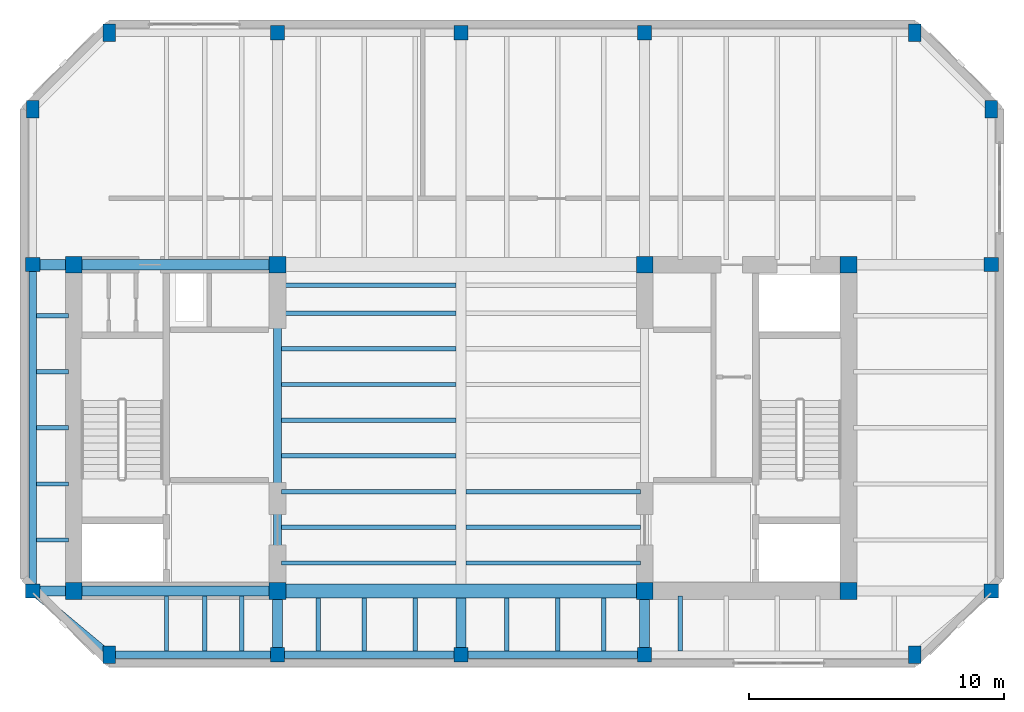
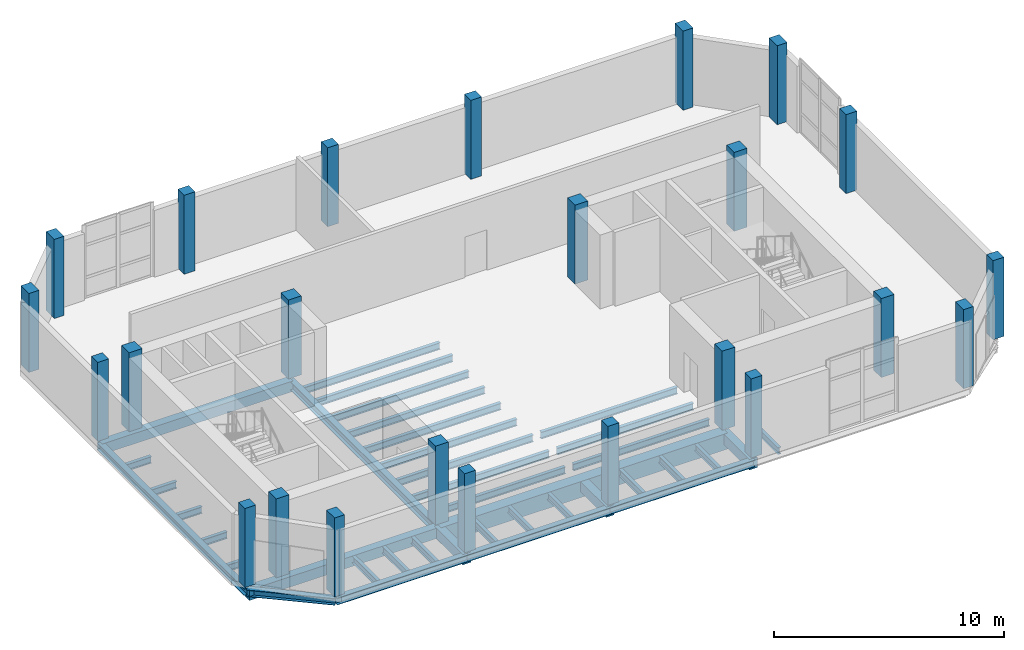
# One storey, part 1 of 8: 39 beams, 24 columns.
"""IFC4 building model written with IfcOpenShell, lengths in metres."""

from ifc_helpers import new_model, si_unit, direction, frame, origin, origin_2d, place, context, subcontext, project, spatial, rectangle, i_section, extrude, material, material_profile, profile_set, type_object, element, save


model = new_model("IFC4")

# Units and contexts
model_context = context("Model", 3, precision=1e-05, world=origin(), true_north=direction((0.0, 1.0)))
body_context = subcontext(model_context, "Body", "Model", "MODEL_VIEW")
ifc_project = project(units=[si_unit("LENGTHUNIT", "METRE"), si_unit("AREAUNIT", "SQUARE_METRE"), si_unit("VOLUMEUNIT", "CUBIC_METRE"), si_unit("PLANEANGLEUNIT", "RADIAN"), si_unit("MASSUNIT", "GRAM", prefix="KILO")], contexts=[model_context])

# Site, building, storey
site_placement = place(None, origin())
site = spatial("IfcSite", under=ifc_project, at=site_placement, CompositionType="ELEMENT")
building_placement = place(site_placement, origin())
building = spatial("IfcBuilding", under=site, at=building_placement, Name="Kranthara Brick Stack", CompositionType="ELEMENT")
storey_placement = place(building_placement, frame((0.0, 0.0, 300.60009765625)))
storey = spatial("IfcBuildingStorey", under=building, at=storey_placement, Name="L79", CompositionType="ELEMENT", Elevation=300.60009765625)

# Columns
ifc_material_1 = material(Name="Concrete C45/55", Category="concrete")
ifc_material_profile_1 = material_profile(ifc_material_1, rectangle(XDim=0.5, YDim=0.699951171875, at=origin_2d()), Name="RC 500x700")
ifc_profile_set_1 = profile_set([ifc_material_profile_1], Name="Concrete C45/55")
column_type_1 = type_object("IfcColumnType", Name="COL-CHAM-500x700", PredefinedType="COLUMN", material=ifc_profile_set_1)
for number, where, z_axis, x_axis, name in (
    (1, (14.199951171875, 18.300048828125, 0.0), (0.0, 0.0, 1.0), (1.0, 0.0, 0.0), "L79 Column 09"),
    (2, (14.199951171875, 42.699951171875, 0.0), (0.0, 0.0, 1.0), (1.0, 0.0, 0.0), "L79 Column 10"),
    (3, (45.800048828125, 18.300048828125, 0.0), (0.0, 0.0, 1.0), (1.0, 0.0, 0.0), "L79 Column 17"),
    (4, (45.800048828125, 42.699951171875, 0.0), (0.0, 0.0, 1.0), (1.0, 0.0, 0.0), "L79 Column 18"),
    (5, (11.199951171875, 39.699951171875, 0.0), (0.0, 0.0, 1.0), (1.0, 0.0, 0.0), "L79 Column 23"),
    (6, (48.800048828125, 39.699951171875, 0.0), (0.0, 0.0, 1.0), (1.0, 0.0, 0.0), "L79 Column 24"),
):
    element("IfcColumn", number, at=place(storey_placement, frame(where, z_axis=z_axis, x_axis=x_axis)), inside=storey, type_object=column_type_1, Name=name, PredefinedType="COLUMN", context=body_context, shape_type="SweptSolid", body=[
        extrude(rectangle(XDim=0.5, YDim=0.699951171875, at=origin_2d()), origin(), (0.0, 0.0, 1.0), 4.199951171875),
    ])
ifc_material_2 = material(Name="Concrete C50/60", Category="concrete")
ifc_material_profile_2 = material_profile(ifc_material_2, rectangle(XDim=0.64990234375, YDim=0.64990234375, at=origin_2d()), Name="RC 650x650")
ifc_profile_set_2 = profile_set([ifc_material_profile_2], Name="Concrete C50/60")
column_type_2 = type_object("IfcColumnType", Name="COL-CORE-650", PredefinedType="COLUMN", material=ifc_profile_set_2)
for number, where, z_axis, x_axis, name in (
    (7, (12.800048828125, 20.800048828125, 0.0), (0.0, 0.0, 1.0), (1.0, 0.0, 0.0), "L79 Column 01"),
    (8, (20.800048828125, 20.800048828125, 0.0), (0.0, 0.0, 1.0), (1.0, 0.0, 0.0), "L79 Column 02"),
    (9, (12.800048828125, 33.60009765625, 0.0), (0.0, 0.0, 1.0), (1.0, 0.0, 0.0), "L79 Column 03"),
    (10, (20.800048828125, 33.60009765625, 0.0), (0.0, 0.0, 1.0), (1.0, 0.0, 0.0), "L79 Column 04"),
    (11, (35.199951171875, 20.800048828125, 0.0), (0.0, 0.0, 1.0), (1.0, 0.0, 0.0), "L79 Column 05"),
    (12, (43.199951171875, 20.800048828125, 0.0), (0.0, 0.0, 1.0), (1.0, 0.0, 0.0), "L79 Column 06"),
    (13, (35.199951171875, 33.60009765625, 0.0), (0.0, 0.0, 1.0), (1.0, 0.0, 0.0), "L79 Column 07"),
    (14, (43.199951171875, 33.60009765625, 0.0), (0.0, 0.0, 1.0), (1.0, 0.0, 0.0), "L79 Column 08"),
):
    element("IfcColumn", number, at=place(storey_placement, frame(where, z_axis=z_axis, x_axis=x_axis)), inside=storey, type_object=column_type_2, Name=name, PredefinedType="COLUMN", context=body_context, shape_type="SweptSolid", body=[
        extrude(rectangle(XDim=0.64990234375, YDim=0.64990234375, at=origin_2d()), origin(), (0.0, 0.0, 1.0), 4.199951171875),
    ])
ifc_material_3 = material(Name="Concrete C45/55", Category="concrete")
ifc_material_profile_3 = material_profile(ifc_material_3, rectangle(XDim=0.550048828125, YDim=0.550048828125, at=origin_2d()), Name="RC 550x550")
ifc_profile_set_3 = profile_set([ifc_material_profile_3], Name="Concrete C45/55")
column_type_3 = type_object("IfcColumnType", Name="COL-PER-550", PredefinedType="COLUMN", material=ifc_profile_set_3)
for number, where, z_axis, x_axis, name in (
    (15, (20.800048828125, 18.300048828125, 0.0), (0.0, 0.0, 1.0), (1.0, 0.0, 0.0), "L79 Column 11"),
    (16, (20.800048828125, 42.699951171875, 0.0), (0.0, 0.0, 1.0), (1.0, 0.0, 0.0), "L79 Column 12"),
    (17, (28.0, 18.300048828125, 0.0), (0.0, 0.0, 1.0), (1.0, 0.0, 0.0), "L79 Column 13"),
    (18, (28.0, 42.699951171875, 0.0), (0.0, 0.0, 1.0), (1.0, 0.0, 0.0), "L79 Column 14"),
    (19, (35.199951171875, 18.300048828125, 0.0), (0.0, 0.0, 1.0), (1.0, 0.0, 0.0), "L79 Column 15"),
    (20, (35.199951171875, 42.699951171875, 0.0), (0.0, 0.0, 1.0), (1.0, 0.0, 0.0), "L79 Column 16"),
    (21, (11.199951171875, 20.800048828125, 0.0), (0.0, 0.0, 1.0), (1.0, 0.0, 0.0), "L79 Column 19"),
    (22, (48.800048828125, 20.800048828125, 0.0), (0.0, 0.0, 1.0), (1.0, 0.0, 0.0), "L79 Column 20"),
    (23, (11.199951171875, 33.60009765625, 0.0), (0.0, 0.0, 1.0), (1.0, 0.0, 0.0), "L79 Column 21"),
    (24, (48.800048828125, 33.60009765625, 0.0), (0.0, 0.0, 1.0), (1.0, 0.0, 0.0), "L79 Column 22"),
):
    element("IfcColumn", number, at=place(storey_placement, frame(where, z_axis=z_axis, x_axis=x_axis)), inside=storey, type_object=column_type_3, Name=name, PredefinedType="COLUMN", context=body_context, shape_type="SweptSolid", body=[
        extrude(rectangle(XDim=0.550048828125, YDim=0.550048828125, at=origin_2d()), origin(), (0.0, 0.0, 1.0), 4.199951171875),
    ])

# Beams
ifc_material_4 = material(Name="Concrete C50/60", Category="concrete")
ifc_material_profile_4 = material_profile(ifc_material_4, rectangle(XDim=0.550048828125, YDim=0.85009765625, at=origin_2d()), Name="RC 550x850")
ifc_profile_set_4 = profile_set([ifc_material_profile_4], Name="Concrete C50/60")
beam_type_1 = type_object("IfcBeamType", Name="BM-CPL-RC850", PredefinedType="LINTEL", material=ifc_profile_set_4)
beam_1_placement = place(storey_placement, frame((20.800048828125, 20.800048828125, -0.705078125), z_axis=(1.0, 0.0, 0.0), x_axis=(0.0, 1.0, 0.0)))
element("IfcBeam", 25, at=beam_1_placement, inside=storey, type_object=beam_type_1, Name="L79 Core Coupling Beam 001", PredefinedType="LINTEL", context=body_context, shape_type="SweptSolid", body=[
    extrude(rectangle(XDim=0.550048828125, YDim=0.85009765625, at=origin_2d()), origin(), (0.0, 0.0, 1.0), 14.39990234375),
])
ifc_material_5 = material(Name="Post-tensioned concrete C45/55", Category="concrete")
ifc_material_profile_5 = material_profile(ifc_material_5, rectangle(XDim=0.39990234375, YDim=0.550048828125, at=origin_2d()), Name="PT 400x550")
ifc_profile_set_5 = profile_set([ifc_material_profile_5], Name="Post-tensioned concrete C45/55")
beam_type_2 = type_object("IfcBeamType", Name="BM-FLR-PT550", PredefinedType="BEAM", material=ifc_profile_set_5)
beam_2_placement = place(storey_placement, frame((20.800048828125, 18.300048828125, -0.55517578125), z_axis=(0.0, 1.0, 0.0), x_axis=(-1.0, 0.0, 0.0)))
element("IfcBeam", 26, at=beam_2_placement, inside=storey, type_object=beam_type_2, Name="L79 Primary Grid Girder 021", PredefinedType="BEAM", context=body_context, shape_type="SweptSolid", body=[
    extrude(rectangle(XDim=0.39990234375, YDim=0.550048828125, at=origin_2d()), origin(), (0.0, 0.0, 1.0), 2.5),
])
beam_3_placement = place(storey_placement, frame((28.0, 18.300048828125, -0.55517578125), z_axis=(0.0, 1.0, 0.0), x_axis=(-1.0, 0.0, 0.0)))
element("IfcBeam", 27, at=beam_3_placement, inside=storey, type_object=beam_type_2, Name="L79 Primary Grid Girder 023", PredefinedType="BEAM", context=body_context, shape_type="SweptSolid", body=[
    extrude(rectangle(XDim=0.39990234375, YDim=0.550048828125, at=origin_2d()), origin(), (0.0, 0.0, 1.0), 2.224853515625),
])
beam_4_placement = place(storey_placement, frame((35.199951171875, 18.300048828125, -0.55517578125), z_axis=(0.0, 1.0, 0.0), x_axis=(-1.0, 0.0, 0.0)))
element("IfcBeam", 28, at=beam_4_placement, inside=storey, type_object=beam_type_2, Name="L79 Primary Grid Girder 026", PredefinedType="BEAM", context=body_context, shape_type="SweptSolid", body=[
    extrude(rectangle(XDim=0.39990234375, YDim=0.550048828125, at=origin_2d()), origin(), (0.0, 0.0, 1.0), 2.5),
])
for number, where, z_axis, x_axis, name in (
    (29, (11.199951171875, 20.800048828125, -0.55517578125), (1.0, 0.0, 0.0), (0.0, 1.0, 0.0), "L79 Primary Grid Girder 028"),
    (30, (11.199951171875, 33.60009765625, -0.55517578125), (1.0, 0.0, 0.0), (0.0, 1.0, 0.0), "L79 Primary Grid Girder 030"),
):
    element("IfcBeam", number, at=place(storey_placement, frame(where, z_axis=z_axis, x_axis=x_axis)), inside=storey, type_object=beam_type_2, Name=name, PredefinedType="BEAM", context=body_context, shape_type="SweptSolid", body=[
        extrude(rectangle(XDim=0.39990234375, YDim=0.550048828125, at=origin_2d()), origin(), (0.0, 0.0, 1.0), 9.60009765625),
    ])
ifc_material_6 = material(Name="Steel S355", Category="steel")
ifc_material_profile_6 = material_profile(ifc_material_6, i_section(OverallWidth=0.169921875, OverallDepth=0.360107421875, WebThickness=0.008056640625, FlangeThickness=0.0126953125, at=origin_2d()), Name="IPE 360")
ifc_profile_set_6 = profile_set([ifc_material_profile_6], Name="Steel S355")
beam_type_3 = type_object("IfcBeamType", Name="BM-JST-IPE360", PredefinedType="JOIST", material=ifc_profile_set_6)
for number, where, z_axis, x_axis, name in (
    (31, (20.949951171875, 21.89990234375, -0.460205078125), (1.0, 0.0, 0.0), (0.0, 1.0, 0.0), "L79 Central Floor Joist 032"),
    (32, (28.199951171875, 21.89990234375, -0.460205078125), (1.0, 0.0, 0.0), (0.0, 1.0, 0.0), "L79 Central Floor Joist 033"),
    (33, (20.949951171875, 23.300048828125, -0.460205078125), (1.0, 0.0, 0.0), (0.0, 1.0, 0.0), "L79 Central Floor Joist 034"),
    (34, (28.199951171875, 23.300048828125, -0.460205078125), (1.0, 0.0, 0.0), (0.0, 1.0, 0.0), "L79 Central Floor Joist 035"),
    (35, (20.949951171875, 24.699951171875, -0.460205078125), (1.0, 0.0, 0.0), (0.0, 1.0, 0.0), "L79 Central Floor Joist 036"),
    (36, (28.199951171875, 24.699951171875, -0.460205078125), (1.0, 0.0, 0.0), (0.0, 1.0, 0.0), "L79 Central Floor Joist 037"),
    (37, (20.949951171875, 26.10009765625, -0.460205078125), (1.0, 0.0, 0.0), (0.0, 1.0, 0.0), "L79 Central Floor Joist 038"),
    (38, (20.949951171875, 27.5, -0.460205078125), (1.0, 0.0, 0.0), (0.0, 1.0, 0.0), "L79 Central Floor Joist 040"),
    (39, (20.949951171875, 28.89990234375, -0.460205078125), (1.0, 0.0, 0.0), (0.0, 1.0, 0.0), "L79 Central Floor Joist 042"),
    (40, (20.949951171875, 30.300048828125, -0.460205078125), (1.0, 0.0, 0.0), (0.0, 1.0, 0.0), "L79 Central Floor Joist 044"),
    (41, (20.949951171875, 31.699951171875, -0.460205078125), (1.0, 0.0, 0.0), (0.0, 1.0, 0.0), "L79 Central Floor Joist 046"),
    (42, (20.949951171875, 32.800048828125, -0.460205078125), (1.0, 0.0, 0.0), (0.0, 1.0, 0.0), "L79 Central Floor Joist 048"),
):
    element("IfcBeam", number, at=place(storey_placement, frame(where, z_axis=z_axis, x_axis=x_axis)), inside=storey, type_object=beam_type_3, Name=name, PredefinedType="JOIST", context=body_context, shape_type="SweptSolid", body=[
        extrude(i_section(OverallWidth=0.169921875, OverallDepth=0.360107421875, WebThickness=0.008056640625, FlangeThickness=0.0126953125, at=origin_2d()), origin(), (0.0, 0.0, 1.0), 6.85009765625),
    ])
for number, where, z_axis, x_axis, name in (
    (43, (16.449951171875, 18.449951171875, -0.460205078125), (0.0, 1.0, 0.0), (-1.0, 0.0, 0.0), "L79 South Wing Floor Joist 050"),
    (44, (17.949951171875, 18.449951171875, -0.460205078125), (0.0, 1.0, 0.0), (-1.0, 0.0, 0.0), "L79 South Wing Floor Joist 052"),
    (45, (19.39990234375, 18.449951171875, -0.460205078125), (0.0, 1.0, 0.0), (-1.0, 0.0, 0.0), "L79 South Wing Floor Joist 054"),
):
    element("IfcBeam", number, at=place(storey_placement, frame(where, z_axis=z_axis, x_axis=x_axis)), inside=storey, type_object=beam_type_3, Name=name, PredefinedType="JOIST", context=body_context, shape_type="SweptSolid", body=[
        extrude(i_section(OverallWidth=0.169921875, OverallDepth=0.360107421875, WebThickness=0.008056640625, FlangeThickness=0.0126953125, at=origin_2d()), origin(), (0.0, 0.0, 1.0), 2.150146484375),
    ])
for number, where, z_axis, x_axis, name in (
    (46, (22.39990234375, 18.449951171875, -0.460205078125), (0.0, 1.0, 0.0), (-1.0, 0.0, 0.0), "L79 South Wing Floor Joist 056"),
    (47, (24.199951171875, 18.449951171875, -0.460205078125), (0.0, 1.0, 0.0), (-1.0, 0.0, 0.0), "L79 South Wing Floor Joist 058"),
    (48, (26.199951171875, 18.449951171875, -0.460205078125), (0.0, 1.0, 0.0), (-1.0, 0.0, 0.0), "L79 South Wing Floor Joist 060"),
    (49, (29.800048828125, 18.449951171875, -0.460205078125), (0.0, 1.0, 0.0), (-1.0, 0.0, 0.0), "L79 South Wing Floor Joist 062"),
    (50, (31.800048828125, 18.449951171875, -0.460205078125), (0.0, 1.0, 0.0), (-1.0, 0.0, 0.0), "L79 South Wing Floor Joist 064"),
    (51, (33.60009765625, 18.449951171875, -0.460205078125), (0.0, 1.0, 0.0), (-1.0, 0.0, 0.0), "L79 South Wing Floor Joist 066"),
):
    element("IfcBeam", number, at=place(storey_placement, frame(where, z_axis=z_axis, x_axis=x_axis)), inside=storey, type_object=beam_type_3, Name=name, PredefinedType="JOIST", context=body_context, shape_type="SweptSolid", body=[
        extrude(i_section(OverallWidth=0.169921875, OverallDepth=0.360107421875, WebThickness=0.008056640625, FlangeThickness=0.0126953125, at=origin_2d()), origin(), (0.0, 0.0, 1.0), 2.074951171875),
    ])
beam_5_placement = place(storey_placement, frame((36.60009765625, 18.449951171875, -0.460205078125), z_axis=(0.0, 1.0, 0.0), x_axis=(-1.0, 0.0, 0.0)))
element("IfcBeam", 52, at=beam_5_placement, inside=storey, type_object=beam_type_3, Name="L79 South Wing Floor Joist 068", PredefinedType="JOIST", context=body_context, shape_type="SweptSolid", body=[
    extrude(i_section(OverallWidth=0.169921875, OverallDepth=0.360107421875, WebThickness=0.008056640625, FlangeThickness=0.0126953125, at=origin_2d()), origin(), (0.0, 0.0, 1.0), 2.150146484375),
])
for number, where, z_axis, x_axis, name in (
    (53, (11.35009765625, 22.800048828125, -0.460205078125), (1.0, 0.0, 0.0), (0.0, 1.0, 0.0), "L79 West Wing Floor Joist 078"),
    (54, (11.35009765625, 25.0, -0.460205078125), (1.0, 0.0, 0.0), (0.0, 1.0, 0.0), "L79 West Wing Floor Joist 080"),
    (55, (11.35009765625, 27.199951171875, -0.460205078125), (1.0, 0.0, 0.0), (0.0, 1.0, 0.0), "L79 West Wing Floor Joist 082"),
    (56, (11.35009765625, 29.39990234375, -0.460205078125), (1.0, 0.0, 0.0), (0.0, 1.0, 0.0), "L79 West Wing Floor Joist 084"),
    (57, (11.35009765625, 31.60009765625, -0.460205078125), (1.0, 0.0, 0.0), (0.0, 1.0, 0.0), "L79 West Wing Floor Joist 086"),
):
    element("IfcBeam", number, at=place(storey_placement, frame(where, z_axis=z_axis, x_axis=x_axis)), inside=storey, type_object=beam_type_3, Name=name, PredefinedType="JOIST", context=body_context, shape_type="SweptSolid", body=[
        extrude(i_section(OverallWidth=0.169921875, OverallDepth=0.360107421875, WebThickness=0.008056640625, FlangeThickness=0.0126953125, at=origin_2d()), origin(), (0.0, 0.0, 1.0), 1.25),
    ])
ifc_material_7 = material(Name="Steel S355", Category="steel")
ifc_material_profile_7 = material_profile(ifc_material_7, i_section(OverallWidth=0.300048828125, OverallDepth=0.360107421875, WebThickness=0.012451171875, FlangeThickness=0.0224609375, at=origin_2d()), Name="HEB 360")
ifc_profile_set_7 = profile_set([ifc_material_profile_7], Name="Steel S355")
beam_type_4 = type_object("IfcBeamType", Name="BM-STL-HEB360", PredefinedType="SPANDREL", material=ifc_profile_set_7)
beam_6_placement = place(storey_placement, frame((14.199951171875, 18.300048828125, -0.460205078125), z_axis=(1.0, 0.0, 0.0), x_axis=(0.0, 1.0, 0.0)))
element("IfcBeam", 58, at=beam_6_placement, inside=storey, type_object=beam_type_4, Name="L79 Perimeter Spandrel Beam 005", PredefinedType="SPANDREL", context=body_context, shape_type="SweptSolid", body=[
    extrude(i_section(OverallWidth=0.300048828125, OverallDepth=0.360107421875, WebThickness=0.012451171875, FlangeThickness=0.0224609375, at=origin_2d()), origin(), (0.0, 0.0, 1.0), 6.60009765625),
])
for number, where, z_axis, x_axis, name in (
    (59, (20.800048828125, 18.300048828125, -0.460205078125), (1.0, 0.0, 0.0), (0.0, 1.0, 0.0), "L79 Perimeter Spandrel Beam 006"),
    (60, (28.0, 18.300048828125, -0.460205078125), (1.0, 0.0, 0.0), (0.0, 1.0, 0.0), "L79 Perimeter Spandrel Beam 007"),
):
    element("IfcBeam", number, at=place(storey_placement, frame(where, z_axis=z_axis, x_axis=x_axis)), inside=storey, type_object=beam_type_4, Name=name, PredefinedType="SPANDREL", context=body_context, shape_type="SweptSolid", body=[
        extrude(i_section(OverallWidth=0.300048828125, OverallDepth=0.360107421875, WebThickness=0.012451171875, FlangeThickness=0.0224609375, at=origin_2d()), origin(), (0.0, 0.0, 1.0), 7.199951171875),
    ])
beam_7_placement = place(storey_placement, frame((11.199951171875, 20.800048828125, -0.460205078125), z_axis=(0.0, 1.0, 0.0), x_axis=(-1.0, 0.0, 0.0)))
element("IfcBeam", 61, at=beam_7_placement, inside=storey, type_object=beam_type_4, Name="L79 Perimeter Spandrel Beam 013", PredefinedType="SPANDREL", context=body_context, shape_type="SweptSolid", body=[
    extrude(i_section(OverallWidth=0.300048828125, OverallDepth=0.360107421875, WebThickness=0.012451171875, FlangeThickness=0.0224609375, at=origin_2d()), origin(), (0.0, 0.0, 1.0), 12.800048828125),
])
beam_8_placement = place(storey_placement, frame((14.199951171875, 18.300048828125, -0.460205078125), z_axis=(-0.768221279597, 0.640184399664, 0.0), x_axis=(-0.640184399664, -0.768221279597, 0.0)))
element("IfcBeam", 62, at=beam_8_placement, inside=storey, type_object=beam_type_4, Name="L79 Chamfer Corner Spandrel 017", PredefinedType="SPANDREL", context=body_context, shape_type="SweptSolid", body=[
    extrude(i_section(OverallWidth=0.300048828125, OverallDepth=0.360107421875, WebThickness=0.012451171875, FlangeThickness=0.0224609375, at=origin_2d()), origin(), (0.0, 0.0, 1.0), 3.905029296875),
])
ifc_material_8 = material(Name="Steel S355", Category="steel")
ifc_material_profile_8 = material_profile(ifc_material_8, i_section(OverallWidth=0.300048828125, OverallDepth=0.449951171875, WebThickness=0.013916015625, FlangeThickness=0.02587890625, at=origin_2d()), Name="HEB 450")
ifc_profile_set_8 = profile_set([ifc_material_profile_8], Name="Steel S355")
beam_type_5 = type_object("IfcBeamType", Name="BM-STL-HEB450", PredefinedType="SPANDREL", material=ifc_profile_set_8)
beam_9_placement = place(storey_placement, frame((20.800048828125, 20.800048828125, -0.505126953125), z_axis=(0.0, 1.0, 0.0), x_axis=(-1.0, 0.0, 0.0)))
element("IfcBeam", 63, at=beam_9_placement, inside=storey, type_object=beam_type_5, Name="L79 Core Edge Tie Beam 003", PredefinedType="SPANDREL", context=body_context, shape_type="SweptSolid", body=[
    extrude(i_section(OverallWidth=0.300048828125, OverallDepth=0.449951171875, WebThickness=0.013916015625, FlangeThickness=0.02587890625, at=origin_2d()), origin(), (0.0, 0.0, 1.0), 12.800048828125),
])

save(model, "model.ifc")
